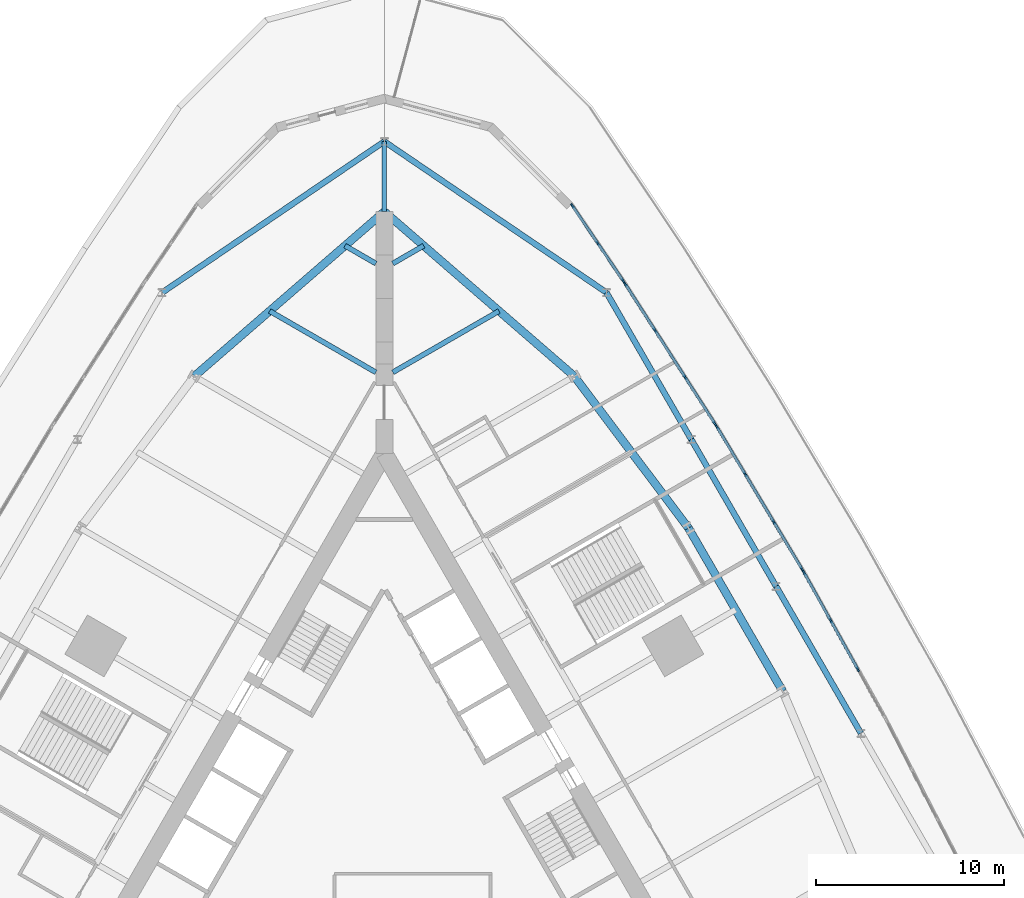
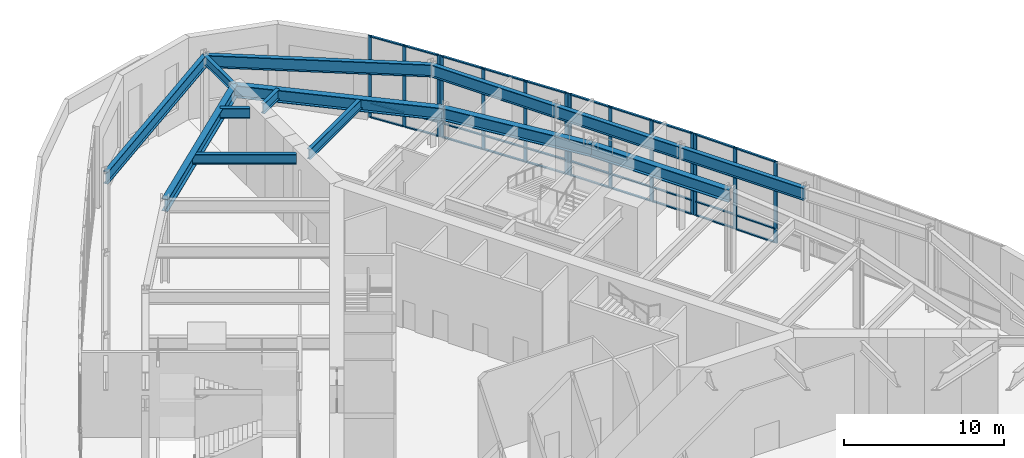
# One storey, part 7 of 19: 44 members, 14 beams, 4 elements without a shape of their own.
"""IFC4 building model written with IfcOpenShell, lengths in metres."""

import ifcopenshell
import ifcopenshell.guid

model = None  # the IFC model being written
_history = None  # IfcOwnerHistory: only IFC2X3 demands one
_inside = {}  # id of a spatial element -> (the spatial element, [elements in it])
_under = {}  # id of a project, library or spatial element -> (it, [spatial elements below it])
_declared = {}  # id of a project -> (the project, [libraries it declares])
_typed = {}  # id of a type object -> (the type object, [elements of that type])
_made_of = {}  # id of a material, layer set ... -> (it, [elements and type objects made of it])


def new_model(schema):
    """Start an empty IFC model of exactly this schema.

    Asked for "IFC4X3", IfcOpenShell would pick the latest addendum, in which some entities
    have other attributes; the version numbers below select the first issue.
    IFC2X3 requires an IfcOwnerHistory on every rooted entity: one is made here for all.
    """
    global model, _history
    if schema == "IFC4X3":
        model = ifcopenshell.file(schema_version=(4, 3, 0, 0))
    else:
        model = ifcopenshell.file(schema=schema)
    _inside.clear()
    _under.clear()
    _declared.clear()
    _typed.clear()
    _made_of.clear()
    _history = None
    if model.schema == "IFC2X3":
        org = make("IfcOrganization", Name="unknown")
        user = make(
            "IfcPersonAndOrganization",
            ThePerson=make("IfcPerson", FamilyName="unknown"),
            TheOrganization=org,
        )
        app = make(
            "IfcApplication",
            ApplicationDeveloper=org,
            Version="unknown",
            ApplicationFullName="unknown",
            ApplicationIdentifier="unknown",
        )
        _history = make(
            "IfcOwnerHistory",
            OwningUser=user,
            OwningApplication=app,
            ChangeAction="ADDED",
            CreationDate=0,
        )
    return model


def make(cls, **values):
    """One entity of the class cls with the attributes given. An attribute that is None is left unset."""
    return model.create_entity(
        cls, **{name: value for name, value in values.items() if value is not None}
    )


def rooted(cls, **values):
    """An entity with a GlobalId (a new one), such as an element, a storey or a relation."""
    return make(cls, GlobalId=ifcopenshell.guid.new(), OwnerHistory=_history, **values)


def si_unit(unit_type, name, prefix=None):
    """IfcSIUnit, for example si_unit("LENGTHUNIT", "METRE", prefix="MILLI")."""
    return make("IfcSIUnit", UnitType=unit_type, Prefix=prefix, Name=name)


def assignment(units):
    """IfcUnitAssignment: the units of a project."""
    return None if units is None else make("IfcUnitAssignment", Units=units)


def point(xyz):
    """IfcCartesianPoint."""
    return None if xyz is None else make("IfcCartesianPoint", Coordinates=xyz)


def direction(xyz):
    """IfcDirection."""
    return None if xyz is None else make("IfcDirection", DirectionRatios=xyz)


def frame(location, z_axis=None, x_axis=None):
    """IfcAxis2Placement3D, a coordinate frame: its origin and axes. An axis left out is left unset."""
    return make(
        "IfcAxis2Placement3D",
        Location=point(location),
        Axis=direction(z_axis),
        RefDirection=direction(x_axis),
    )


def frame_2d(location, x_axis=None):
    """IfcAxis2Placement2D, a coordinate frame in the plane: its origin and x axis."""
    return make(
        "IfcAxis2Placement2D", Location=point(location), RefDirection=direction(x_axis)
    )


def origin():
    """The frame at (0, 0, 0) with its axes left unset."""
    return frame((0.0, 0.0, 0.0))


def origin_2d():
    """The frame at (0, 0) in the plane with its x axis left unset."""
    return frame_2d((0.0, 0.0))


def place(relative_to, where):
    """IfcLocalPlacement: puts the frame where relative to a parent placement (None: the world)."""
    return make(
        "IfcLocalPlacement", PlacementRelTo=relative_to, RelativePlacement=where
    )


def context(
    kind, dimensions, precision=None, world=None, true_north=None, identifier=None
):
    """IfcGeometricRepresentationContext, for example the 3D "Model" context."""
    return make(
        "IfcGeometricRepresentationContext",
        ContextIdentifier=identifier,
        ContextType=kind,
        CoordinateSpaceDimension=dimensions,
        Precision=precision,
        WorldCoordinateSystem=world,
        TrueNorth=true_north,
    )


def subcontext(parent, identifier, kind, view, scale=None):
    """IfcGeometricRepresentationSubContext, for example "Body" below "Model"."""
    return make(
        "IfcGeometricRepresentationSubContext",
        ContextIdentifier=identifier,
        ContextType=kind,
        ParentContext=parent,
        TargetScale=scale,
        TargetView=view,
    )


def project(units=None, contexts=None):
    """IfcProject with its units and contexts."""
    return rooted(
        "IfcProject",
        Name="project",
        RepresentationContexts=contexts,
        UnitsInContext=assignment(units),
    )


def spatial(cls, under=None, at=None, **own):
    """A site, building, storey or space (cls), placed at a placement, below another one or the project."""
    s = rooted(cls, ObjectPlacement=at, **own)
    if under is not None:
        _under.setdefault(under.id(), (under, []))[1].append(s)
    return s


def profile(cls, at=None, kind="AREA", **sizes):
    """A parametric profile (cls). Its sizes go by their IFC names, for example OverallWidth=200.0."""
    return make(cls, ProfileType=kind, Position=at, **sizes)


def rectangle(**sizes):
    """IfcRectangleProfileDef."""
    return profile("IfcRectangleProfileDef", **sizes)


def i_section(**sizes):
    """IfcIShapeProfileDef."""
    return profile("IfcIShapeProfileDef", **sizes)


def extrude(swept, where, along, depth):
    """IfcExtrudedAreaSolid: the profile swept, set in the frame where, extruded along a direction by depth."""
    return make(
        "IfcExtrudedAreaSolid",
        SweptArea=swept,
        Position=where,
        ExtrudedDirection=direction(along),
        Depth=depth,
    )


def shape(context_of_items, identifier, shape_type, items):
    """IfcShapeRepresentation: the items that make up one representation, for example the "Body"."""
    return make(
        "IfcShapeRepresentation",
        ContextOfItems=context_of_items,
        RepresentationIdentifier=identifier,
        RepresentationType=shape_type,
        Items=items,
    )


def material(Name=None, Category=None):
    """IfcMaterial."""
    return make("IfcMaterial", Name=Name, Category=Category)


def material_profile(
    of_material, cross_section, Name=None, Category=None, Priority=None
):
    """IfcMaterialProfile: a cross section and its material."""
    return make(
        "IfcMaterialProfile",
        Name=Name,
        Material=of_material,
        Profile=cross_section,
        Priority=Priority,
        Category=Category,
    )


def profile_set(profiles, Name=None, composite=None):
    """IfcMaterialProfileSet."""
    return make(
        "IfcMaterialProfileSet",
        Name=Name,
        MaterialProfiles=profiles,
        CompositeProfile=composite,
    )


def made_of(thing, what):
    """Note that an element or type object is made of a material, layer set ...; save() writes the relation."""
    if what is not None:
        _made_of.setdefault(what.id(), (what, []))[1].append(thing)
    return thing


def type_object(cls, material=None, **own):
    """A type object (cls), such as IfcWallType, which elements share."""
    return made_of(rooted(cls, **own), material)


def element(
    cls,
    number,
    at=None,
    inside=None,
    cuts=None,
    type_object=None,
    material=None,
    context=None,
    identifier="Body",
    shape_type=None,
    held_by="IfcProductDefinitionShape",
    body=None,
    shapes=None,
    **own,
):
    """One element of the class cls, such as IfcWall. Its Tag is "e" and its number.

    at: its placement. inside: the storey or other place that contains it. cuts: it is an
    opening in that element (IfcRelVoidsElement). A single representation is given by context,
    identifier, shape_type and body (its items); several are given by shapes. held_by: the class
    of the entity that holds the representations. save() writes the other relations.
    """
    e = rooted(cls, Tag="e%d" % number, ObjectPlacement=at, **own)
    if body is not None:
        shapes = [shape(context, identifier, shape_type, body)]
    if shapes is not None:
        e.Representation = make(held_by, Representations=shapes)
    if inside is not None:
        _inside.setdefault(inside.id(), (inside, []))[1].append(e)
    if cuts is not None:
        rooted(
            "IfcRelVoidsElement", RelatingBuildingElement=cuts, RelatedOpeningElement=e
        )
    if type_object is not None:
        _typed.setdefault(type_object.id(), (type_object, []))[1].append(e)
    return made_of(e, material)


def aggregate(whole, parts):
    """IfcRelAggregates: a whole, such as a stair, and the parts it consists of."""
    return rooted("IfcRelAggregates", RelatingObject=whole, RelatedObjects=parts)


def save(model, path):
    """Write the relations noted so far, then the file.

    IfcRelAggregates (storeys below a building ...), IfcRelContainedInSpatialStructure (elements
    in a storey), IfcRelDefinesByType, IfcRelAssociatesMaterial and IfcRelDeclares: one each for
    every whole, place, type object, material and project.
    """
    for whole, parts in _under.values():
        aggregate(whole, parts)
    for where, things in _inside.values():
        rooted(
            "IfcRelContainedInSpatialStructure",
            RelatedElements=things,
            RelatingStructure=where,
        )
    for kind, things in _typed.values():
        rooted("IfcRelDefinesByType", RelatedObjects=things, RelatingType=kind)
    for what, things in _made_of.values():
        rooted("IfcRelAssociatesMaterial", RelatedObjects=things, RelatingMaterial=what)
    for by, libraries in _declared.values():
        rooted("IfcRelDeclares", RelatingContext=by, RelatedDefinitions=libraries)
    model.write(path)


model = new_model("IFC4")

# Units and contexts
model_context = context("Model", 3, precision=1e-05, world=origin(), true_north=direction((0.0, 1.0)))
body_context = subcontext(model_context, "Body", "Model", "MODEL_VIEW")
ifc_project = project(units=[si_unit("LENGTHUNIT", "METRE"), si_unit("AREAUNIT", "SQUARE_METRE"), si_unit("VOLUMEUNIT", "CUBIC_METRE"), si_unit("PLANEANGLEUNIT", "RADIAN"), si_unit("MASSUNIT", "GRAM", prefix="KILO")], contexts=[model_context])

# Site, building, storey
site_placement = place(None, origin())
site = spatial("IfcSite", under=ifc_project, at=site_placement, CompositionType="ELEMENT")
building_placement = place(site_placement, origin())
building = spatial("IfcBuilding", under=site, at=building_placement, Name="Trikona Tower", CompositionType="ELEMENT")
storey_placement = place(building_placement, frame((0.0, 0.0, 11.0)))
storey = spatial("IfcBuildingStorey", under=building, at=storey_placement, Name="L02", CompositionType="ELEMENT", Elevation=11.0)

# Curtain wall, members
ifc_material_1 = material(Name="Aluminium curtain wall system", Category="aluminium")
curtain_wall_type = type_object("IfcCurtainWallType", Name="Curtain wall PD", PredefinedType="NOTDEFINED", material=ifc_material_1)
curtain_wall_1_placement = place(storey_placement, origin())
curtain_wall_1 = element("IfcCurtainWall", 1, at=curtain_wall_1_placement, inside=storey, type_object=curtain_wall_type, Name="Curtain wall PD L02", PredefinedType="NOTDEFINED")
ifc_material_2 = material(Name="Aluminium mullion, pale anodised", Category="aluminium")
ifc_material_profile_1 = material_profile(ifc_material_2, rectangle(XDim=0.090087890625, YDim=0.25, at=origin_2d()), Name="MUL-PD")
ifc_profile_set_1 = profile_set([ifc_material_profile_1], Name="Aluminium mullion, pale anodised")
member_type_1 = type_object("IfcMemberType", Name="Mullion PD 90x250", PredefinedType="MULLION", material=ifc_profile_set_1)
member_1_placement = place(storey_placement, frame((25.1181640625, 7.598876953125, 0.0), z_axis=(0.0, 0.0, 1.0), x_axis=(-0.873743206518, -0.486387509156, 0.0)))
member_1 = element("IfcMember", 2, at=member_1_placement, type_object=member_type_1, Name="CW-PD mullion 2", PredefinedType="MULLION", context=body_context, shape_type="SweptSolid", body=[
    extrude(rectangle(XDim=0.090087890625, YDim=0.25, at=origin_2d()), origin(), (0.0, 0.0, 1.0), 6.25),
])
member_2_placement = place(storey_placement, frame((23.678466796875, 10.185302734375, 0.0), z_axis=(0.0, 0.0, 1.0), x_axis=(-0.873743206518, -0.486387509156, 0.0)))
member_2 = element("IfcMember", 3, at=member_2_placement, type_object=member_type_1, Name="CW-PD mullion 3", PredefinedType="MULLION", context=body_context, shape_type="SweptSolid", body=[
    extrude(rectangle(XDim=0.090087890625, YDim=0.25, at=origin_2d()), origin(), (0.0, 0.0, 1.0), 6.25),
])
member_3_placement = place(storey_placement, frame((22.260498046875, 12.732666015625, 0.0), z_axis=(0.0, 0.0, 1.0), x_axis=(-0.873743206518, -0.486387509156, 0.0)))
member_3 = element("IfcMember", 4, at=member_3_placement, type_object=member_type_1, Name="CW-PD mullion 4", PredefinedType="MULLION", context=body_context, shape_type="SweptSolid", body=[
    extrude(rectangle(XDim=0.090087890625, YDim=0.25, at=origin_2d()), origin(), (0.0, 0.0, 1.0), 6.25),
])

curtain_wall_2_placement = place(storey_placement, origin())
curtain_wall_2 = element("IfcCurtainWall", 5, at=curtain_wall_2_placement, inside=storey, type_object=curtain_wall_type, Name="Curtain wall PD L02", PredefinedType="NOTDEFINED")
member_4_placement = place(storey_placement, frame((22.156982421875, 12.91162109375, 0.0), z_axis=(0.0, 0.0, 1.0), x_axis=(-0.858095396396, -0.513490302425, 0.0)))
member_4 = element("IfcMember", 6, at=member_4_placement, type_object=member_type_1, Name="CW-PD mullion 1", PredefinedType="MULLION", context=body_context, shape_type="SweptSolid", body=[
    extrude(rectangle(XDim=0.090087890625, YDim=0.25, at=origin_2d()), origin(), (0.0, 0.0, 1.0), 6.25),
])
member_5_placement = place(storey_placement, frame((20.659912109375, 15.413330078125, 0.0), z_axis=(0.0, 0.0, 1.0), x_axis=(-0.858095396396, -0.513490302425, 0.0)))
member_5 = element("IfcMember", 7, at=member_5_placement, type_object=member_type_1, Name="CW-PD mullion 2", PredefinedType="MULLION", context=body_context, shape_type="SweptSolid", body=[
    extrude(rectangle(XDim=0.090087890625, YDim=0.25, at=origin_2d()), origin(), (0.0, 0.0, 1.0), 6.25),
])
member_6_placement = place(storey_placement, frame((19.139892578125, 17.95361328125, 0.0), z_axis=(0.0, 0.0, 1.0), x_axis=(-0.858095396396, -0.513490302425, 0.0)))
member_6 = element("IfcMember", 8, at=member_6_placement, type_object=member_type_1, Name="CW-PD mullion 3", PredefinedType="MULLION", context=body_context, shape_type="SweptSolid", body=[
    extrude(rectangle(XDim=0.090087890625, YDim=0.25, at=origin_2d()), origin(), (0.0, 0.0, 1.0), 6.25),
])
member_7_placement = place(storey_placement, frame((17.642822265625, 20.455322265625, 0.0), z_axis=(0.0, 0.0, 1.0), x_axis=(-0.858095396396, -0.513490302425, 0.0)))
member_7 = element("IfcMember", 9, at=member_7_placement, type_object=member_type_1, Name="CW-PD mullion 4", PredefinedType="MULLION", context=body_context, shape_type="SweptSolid", body=[
    extrude(rectangle(XDim=0.090087890625, YDim=0.25, at=origin_2d()), origin(), (0.0, 0.0, 1.0), 6.25),
])

curtain_wall_3_placement = place(storey_placement, origin())
curtain_wall_3 = element("IfcCurtainWall", 10, at=curtain_wall_3_placement, inside=storey, type_object=curtain_wall_type, Name="Curtain wall PD L02", PredefinedType="NOTDEFINED")
member_8_placement = place(storey_placement, frame((17.53369140625, 20.631103515625, 0.0), z_axis=(0.0, 0.0, 1.0), x_axis=(-0.84162298491, -0.540065506463, 0.0)))
member_8 = element("IfcMember", 11, at=member_8_placement, type_object=member_type_1, Name="CW-PD mullion 1", PredefinedType="MULLION", context=body_context, shape_type="SweptSolid", body=[
    extrude(rectangle(XDim=0.090087890625, YDim=0.25, at=origin_2d()), origin(), (0.0, 0.0, 1.0), 6.25),
])
member_9_placement = place(storey_placement, frame((15.957763671875, 23.087158203125, 0.0), z_axis=(0.0, 0.0, 1.0), x_axis=(-0.84162298491, -0.540065506463, 0.0)))
member_9 = element("IfcMember", 12, at=member_9_placement, type_object=member_type_1, Name="CW-PD mullion 2", PredefinedType="MULLION", context=body_context, shape_type="SweptSolid", body=[
    extrude(rectangle(XDim=0.090087890625, YDim=0.25, at=origin_2d()), origin(), (0.0, 0.0, 1.0), 6.25),
])
member_10_placement = place(storey_placement, frame((14.357421875, 25.581298828125, 0.0), z_axis=(0.0, 0.0, 1.0), x_axis=(-0.84162298491, -0.540065506463, 0.0)))
member_10 = element("IfcMember", 13, at=member_10_placement, type_object=member_type_1, Name="CW-PD mullion 3", PredefinedType="MULLION", context=body_context, shape_type="SweptSolid", body=[
    extrude(rectangle(XDim=0.090087890625, YDim=0.25, at=origin_2d()), origin(), (0.0, 0.0, 1.0), 6.25),
])
member_11_placement = place(storey_placement, frame((12.78125, 28.037353515625, 0.0), z_axis=(0.0, 0.0, 1.0), x_axis=(-0.84162298491, -0.540065506463, 0.0)))
member_11 = element("IfcMember", 14, at=member_11_placement, type_object=member_type_1, Name="CW-PD mullion 4", PredefinedType="MULLION", context=body_context, shape_type="SweptSolid", body=[
    extrude(rectangle(XDim=0.090087890625, YDim=0.25, at=origin_2d()), origin(), (0.0, 0.0, 1.0), 6.25),
])

curtain_wall_4_placement = place(storey_placement, origin())
curtain_wall_4 = element("IfcCurtainWall", 15, at=curtain_wall_4_placement, inside=storey, type_object=curtain_wall_type, Name="Curtain wall PD L02", PredefinedType="NOTDEFINED")
member_12_placement = place(storey_placement, frame((12.667236328125, 28.210693359375, 0.0), z_axis=(0.0, 0.0, 1.0), x_axis=(-0.828264162992, -0.560337823373, 0.0)))
member_12 = element("IfcMember", 16, at=member_12_placement, type_object=member_type_1, Name="CW-PD mullion 1", PredefinedType="MULLION", context=body_context, shape_type="SweptSolid", body=[
    extrude(rectangle(XDim=0.090087890625, YDim=0.25, at=origin_2d()), origin(), (0.0, 0.0, 1.0), 6.25),
])
member_13_placement = place(storey_placement, frame((11.321533203125, 30.19970703125, 0.0), z_axis=(0.0, 0.0, 1.0), x_axis=(-0.828264162992, -0.560337823373, 0.0)))
member_13 = element("IfcMember", 17, at=member_13_placement, type_object=member_type_1, Name="CW-PD mullion 2", PredefinedType="MULLION", context=body_context, shape_type="SweptSolid", body=[
    extrude(rectangle(XDim=0.090087890625, YDim=0.25, at=origin_2d()), origin(), (0.0, 0.0, 1.0), 6.25),
])
member_14_placement = place(storey_placement, frame((9.97607421875, 32.188720703125, 0.0), z_axis=(0.0, 0.0, 1.0), x_axis=(-0.828264162992, -0.560337823373, 0.0)))
member_14 = element("IfcMember", 18, at=member_14_placement, type_object=member_type_1, Name="CW-PD mullion 3", PredefinedType="MULLION", context=body_context, shape_type="SweptSolid", body=[
    extrude(rectangle(XDim=0.090087890625, YDim=0.25, at=origin_2d()), origin(), (0.0, 0.0, 1.0), 6.25),
])

# Beams
ifc_material_3 = material(Name="Steel ASTM A992 Grade 50", Category="steel")
ifc_material_profile_2 = material_profile(ifc_material_3, i_section(OverallWidth=0.25390625, OverallDepth=0.683349609375, WebThickness=0.012451171875, FlangeThickness=0.01904296875, at=origin_2d()), Name="W27X94")
ifc_profile_set_2 = profile_set([ifc_material_profile_2], Name="Steel ASTM A992 Grade 50")
beam_type_1 = type_object("IfcBeamType", Name="Steel beam W27x94 (pod radial)", PredefinedType="BEAM", material=ifc_profile_set_2)
beam_1_placement = place(storey_placement, frame((0.0, 31.883544921875, 5.908447265625), z_axis=(0.0, 1.0, 0.0), x_axis=(-1.0, 0.0, 0.0)))
element("IfcBeam", 19, at=beam_1_placement, inside=storey, type_object=beam_type_1, Name="Podium beam L03 RKK1D35.6", PredefinedType="BEAM", context=body_context, shape_type="SweptSolid", body=[
    extrude(i_section(OverallWidth=0.25390625, OverallDepth=0.683349609375, WebThickness=0.012451171875, FlangeThickness=0.01904296875, at=origin_2d()), origin(), (0.0, 0.0, 1.0), 3.716552734375),
])
ifc_material_4 = material(Name="Steel ASTM A992 Grade 50", Category="steel")
ifc_material_profile_3 = material_profile(ifc_material_4, i_section(OverallWidth=0.2666015625, OverallDepth=0.76953125, WebThickness=0.015625, FlangeThickness=0.025390625, at=origin_2d()), Name="W30X132")
ifc_profile_set_3 = profile_set([ifc_material_profile_3], Name="Steel ASTM A992 Grade 50")
beam_type_2 = type_object("IfcBeamType", Name="Steel beam W30x132 (wedge)", PredefinedType="BEAM", material=ifc_profile_set_3)
beam_2_placement = place(storey_placement, frame((0.449951171875, 23.353759765625, 5.865234375), z_axis=(0.866022504693, 0.50000502134, 0.0), x_axis=(-0.50000502134, 0.866022504693, 0.0)))
element("IfcBeam", 20, at=beam_2_placement, inside=storey, type_object=beam_type_2, Name="Floor beam L03 F2 u20", PredefinedType="BEAM", context=body_context, shape_type="SweptSolid", body=[
    extrude(i_section(OverallWidth=0.2666015625, OverallDepth=0.76953125, WebThickness=0.015625, FlangeThickness=0.025390625, at=origin_2d()), origin(), (0.0, 0.0, 1.0), 6.5068359375),
])
for number, where, z_axis, x_axis, name in (
    (21, (0.449951171875, 29.127197265625, 5.865234375), (0.866009237431, 0.5000279999, 0.0), (-0.5000279999, 0.866009237431, 0.0), "Floor beam L03 F2 u25"),
    (22, (-0.449951171875, 29.127197265625, 5.865234375), (-0.866009237431, 0.5000279999, 0.0), (-0.5000279999, -0.866009237431, 0.0), "Floor beam L03 F3 u-25"),
):
    element("IfcBeam", number, at=place(storey_placement, frame(where, z_axis=z_axis, x_axis=x_axis)), inside=storey, type_object=beam_type_2, Name=name, PredefinedType="BEAM", context=body_context, shape_type="SweptSolid", body=[
        extrude(i_section(OverallWidth=0.2666015625, OverallDepth=0.76953125, WebThickness=0.015625, FlangeThickness=0.025390625, at=origin_2d()), origin(), (0.0, 0.0, 1.0), 1.890625),
    ])
beam_3_placement = place(storey_placement, frame((-0.449951171875, 23.353759765625, 5.865234375), z_axis=(-0.866022504693, 0.50000502134, 0.0), x_axis=(-0.50000502134, -0.866022504693, 0.0)))
element("IfcBeam", 23, at=beam_3_placement, inside=storey, type_object=beam_type_2, Name="Floor beam L03 F3 u-20", PredefinedType="BEAM", context=body_context, shape_type="SweptSolid", body=[
    extrude(i_section(OverallWidth=0.2666015625, OverallDepth=0.76953125, WebThickness=0.015625, FlangeThickness=0.025390625, at=origin_2d()), origin(), (0.0, 0.0, 1.0), 6.5068359375),
])
ifc_material_5 = material(Name="Steel ASTM A992 Grade 50", Category="steel")
ifc_material_profile_4 = material_profile(ifc_material_5, i_section(OverallWidth=0.307373046875, OverallDepth=0.9423828125, WebThickness=0.022216796875, FlangeThickness=0.039794921875, at=origin_2d()), Name="W36X232")
ifc_profile_set_4 = profile_set([ifc_material_profile_4], Name="Steel ASTM A992 Grade 50")
beam_type_3 = type_object("IfcBeamType", Name="Steel beam W36x232 (ballroom)", PredefinedType="BEAM", material=ifc_profile_set_4)
for number, where, z_axis, x_axis, name in (
    (24, (25.28466796875, 4.205810546875, 5.77880859375), (-0.5000018851, 0.866024315419, 0.0), (-0.866024315419, -0.5000018851, 0.0), "Podium beam L03 GR24F1m9-R24F1p0"),
    (25, (20.78466796875, 12.0, 5.77880859375), (-0.5000018851, 0.866024315419, 0.0), (-0.866024315419, -0.5000018851, 0.0), "Podium beam L03 GR24F1p0-R24F1p9"),
    (26, (16.28466796875, 19.794189453125, 5.77880859375), (-0.5000018851, 0.866024315419, 0.0), (-0.866024315419, -0.5000018851, 0.0), "Podium beam L03 GR24F1p9-R24F1p18"),
):
    element("IfcBeam", number, at=place(storey_placement, frame(where, z_axis=z_axis, x_axis=x_axis)), inside=storey, type_object=beam_type_3, Name=name, PredefinedType="BEAM", context=body_context, shape_type="SweptSolid", body=[
        extrude(i_section(OverallWidth=0.307373046875, OverallDepth=0.9423828125, WebThickness=0.022216796875, FlangeThickness=0.039794921875, at=origin_2d()), origin(), (0.0, 0.0, 1.0), 9.0),
    ])
for number, where, z_axis, x_axis, name in (
    (27, (0.0, 35.60009765625, 5.77880859375), (0.826987042199, -0.562220981496, 0.0), (0.562220981496, 0.826987042199, 0.0), "Podium beam L03 CK1D35.6-R24F1p18"),
    (28, (0.0, 35.60009765625, 5.77880859375), (-0.826987042199, -0.562220981496, 0.0), (0.562220981496, -0.826987042199, 0.0), "Podium beam L03 CK1D35.6-R24F2m18"),
):
    element("IfcBeam", number, at=place(storey_placement, frame(where, z_axis=z_axis, x_axis=x_axis)), inside=storey, type_object=beam_type_3, Name=name, PredefinedType="BEAM", context=body_context, shape_type="SweptSolid", body=[
        extrude(i_section(OverallWidth=0.307373046875, OverallDepth=0.9423828125, WebThickness=0.022216796875, FlangeThickness=0.039794921875, at=origin_2d()), origin(), (0.0, 0.0, 1.0), 14.250244140625),
    ])
ifc_material_6 = material(Name="Steel ASTM A992 Grade 50", Category="steel")
ifc_material_profile_5 = material_profile(ifc_material_6, i_section(OverallWidth=0.424072265625, OverallDepth=0.947509765625, WebThickness=0.02392578125, FlangeThickness=0.042724609375, at=origin_2d()), Name="W36X302")
ifc_profile_set_5 = profile_set([ifc_material_profile_5], Name="Steel ASTM A992 Grade 50")
beam_type_4 = type_object("IfcBeamType", Name="Steel beam W36x302 (pod tower spandrel)", PredefinedType="BEAM", material=ifc_profile_set_5)
beam_4_placement = place(storey_placement, frame((21.13720703125, 6.43017578125, 5.7763671875), z_axis=(-0.500004234368, 0.866022959057, 0.0), x_axis=(-0.866022959057, -0.500004234368, 0.0)))
element("IfcBeam", 29, at=beam_4_placement, inside=storey, type_object=beam_type_4, Name="Spandrel beam L03 F2-3", PredefinedType="BEAM", context=body_context, shape_type="SweptSolid", body=[
    extrude(i_section(OverallWidth=0.424072265625, OverallDepth=0.947509765625, WebThickness=0.02392578125, FlangeThickness=0.042724609375, at=origin_2d()), origin(), (0.0, 0.0, 1.0), 10.0),
])
beam_5_placement = place(storey_placement, frame((16.13720703125, 15.09033203125, 5.7763671875), z_axis=(-0.600988344191, 0.799257787042, 0.0), x_axis=(-0.799257787042, -0.600988344191, 0.0)))
element("IfcBeam", 30, at=beam_5_placement, inside=storey, type_object=beam_type_4, Name="Spandrel beam L03 F2-4", PredefinedType="BEAM", context=body_context, shape_type="SweptSolid", body=[
    extrude(i_section(OverallWidth=0.424072265625, OverallDepth=0.947509765625, WebThickness=0.02392578125, FlangeThickness=0.042724609375, at=origin_2d()), origin(), (0.0, 0.0, 1.0), 10.07373046875),
])
for number, where, z_axis, x_axis, name in (
    (31, (10.0830078125, 23.141845703125, 5.7763671875), (-0.755646822726, 0.654979296851, 0.0), (-0.654979296851, -0.755646822726, 0.0), "Spandrel beam L03 F2-5"),
    (32, (0.0, 31.881591796875, 5.7763671875), (-0.755646822726, -0.654979296851, 0.0), (0.654979296851, -0.755646822726, 0.0), "Spandrel beam L03 F3-1"),
):
    element("IfcBeam", number, at=place(storey_placement, frame(where, z_axis=z_axis, x_axis=x_axis)), inside=storey, type_object=beam_type_4, Name=name, PredefinedType="BEAM", context=body_context, shape_type="SweptSolid", body=[
        extrude(i_section(OverallWidth=0.424072265625, OverallDepth=0.947509765625, WebThickness=0.02392578125, FlangeThickness=0.042724609375, at=origin_2d()), origin(), (0.0, 0.0, 1.0), 13.343505859375),
    ])

# Member
ifc_material_7 = material(Name="Aluminium transom, pale anodised", Category="aluminium")
ifc_material_profile_6 = material_profile(ifc_material_7, rectangle(XDim=0.14990234375, YDim=0.090087890625, at=origin_2d()), Name="TRN-PD")
ifc_profile_set_6 = profile_set([ifc_material_profile_6], Name="Aluminium transom, pale anodised")
member_type_2 = type_object("IfcMemberType", Name="Transom PD 90x150", PredefinedType="USERDEFINED", material=ifc_profile_set_6)
member_15_placement = place(storey_placement, frame((25.096435546875, 7.63818359375, 0.044921875), z_axis=(-0.48644435464, 0.873711559864, 0.0), x_axis=(-0.873711559864, -0.48644435464, 0.0)))
member_15 = element("IfcMember", 33, at=member_15_placement, type_object=member_type_2, Name="CW-PD transom 2.1", ObjectType="TRANSOM", PredefinedType="USERDEFINED", context=body_context, shape_type="SweptSolid", body=[
    extrude(rectangle(XDim=0.14990234375, YDim=0.090087890625, at=origin_2d()), origin(), (0.0, 0.0, 1.0), 2.870361328125),
])

member_16_placement = place(storey_placement, frame((25.096435546875, 7.63818359375, 1.10009765625), z_axis=(-0.48644435464, 0.873711559864, 0.0), x_axis=(-0.873711559864, -0.48644435464, 0.0)))
member_16 = element("IfcMember", 34, at=member_16_placement, type_object=member_type_2, Name="CW-PD transom 2.2", ObjectType="TRANSOM", PredefinedType="USERDEFINED", context=body_context, shape_type="SweptSolid", body=[
    extrude(rectangle(XDim=0.14990234375, YDim=0.090087890625, at=origin_2d()), origin(), (0.0, 0.0, 1.0), 2.870361328125),
])

member_17_placement = place(storey_placement, frame((25.096435546875, 7.63818359375, 6.205078125), z_axis=(-0.48644435464, 0.873711559864, 0.0), x_axis=(-0.873711559864, -0.48644435464, 0.0)))
member_17 = element("IfcMember", 35, at=member_17_placement, type_object=member_type_2, Name="CW-PD transom 2.3", ObjectType="TRANSOM", PredefinedType="USERDEFINED", context=body_context, shape_type="SweptSolid", body=[
    extrude(rectangle(XDim=0.14990234375, YDim=0.090087890625, at=origin_2d()), origin(), (0.0, 0.0, 1.0), 2.870361328125),
])

member_18_placement = place(storey_placement, frame((23.656494140625, 10.224609375, 0.044921875), z_axis=(-0.486383735561, 0.873745307158, 0.0), x_axis=(-0.873745307158, -0.486383735561, 0.0)))
member_18 = element("IfcMember", 36, at=member_18_placement, type_object=member_type_2, Name="CW-PD transom 3.1", ObjectType="TRANSOM", PredefinedType="USERDEFINED", context=body_context, shape_type="SweptSolid", body=[
    extrude(rectangle(XDim=0.14990234375, YDim=0.090087890625, at=origin_2d()), origin(), (0.0, 0.0, 1.0), 2.825439453125),
])

member_19_placement = place(storey_placement, frame((23.656494140625, 10.224609375, 1.10009765625), z_axis=(-0.486383735561, 0.873745307158, 0.0), x_axis=(-0.873745307158, -0.486383735561, 0.0)))
member_19 = element("IfcMember", 37, at=member_19_placement, type_object=member_type_2, Name="CW-PD transom 3.2", ObjectType="TRANSOM", PredefinedType="USERDEFINED", context=body_context, shape_type="SweptSolid", body=[
    extrude(rectangle(XDim=0.14990234375, YDim=0.090087890625, at=origin_2d()), origin(), (0.0, 0.0, 1.0), 2.825439453125),
])

member_20_placement = place(storey_placement, frame((23.656494140625, 10.224609375, 6.205078125), z_axis=(-0.486383735561, 0.873745307158, 0.0), x_axis=(-0.873745307158, -0.486383735561, 0.0)))
member_20 = element("IfcMember", 38, at=member_20_placement, type_object=member_type_2, Name="CW-PD transom 3.3", ObjectType="TRANSOM", PredefinedType="USERDEFINED", context=body_context, shape_type="SweptSolid", body=[
    extrude(rectangle(XDim=0.14990234375, YDim=0.090087890625, at=origin_2d()), origin(), (0.0, 0.0, 1.0), 2.825439453125),
])

aggregate(curtain_wall_1, [member_1, member_2, member_3, member_15, member_16, member_17, member_18, member_19, member_20])

member_21_placement = place(storey_placement, frame((22.1337890625, 12.950439453125, 0.044921875), z_axis=(-0.513478745151, 0.858102312244, 0.0), x_axis=(-0.858102312244, -0.513478745151, 0.0)))
member_21 = element("IfcMember", 39, at=member_21_placement, type_object=member_type_2, Name="CW-PD transom 1.1", ObjectType="TRANSOM", PredefinedType="USERDEFINED", context=body_context, shape_type="SweptSolid", body=[
    extrude(rectangle(XDim=0.14990234375, YDim=0.090087890625, at=origin_2d()), origin(), (0.0, 0.0, 1.0), 2.8251953125),
])

member_22_placement = place(storey_placement, frame((22.1337890625, 12.950439453125, 1.10009765625), z_axis=(-0.513478745151, 0.858102312244, 0.0), x_axis=(-0.858102312244, -0.513478745151, 0.0)))
member_22 = element("IfcMember", 40, at=member_22_placement, type_object=member_type_2, Name="CW-PD transom 1.2", ObjectType="TRANSOM", PredefinedType="USERDEFINED", context=body_context, shape_type="SweptSolid", body=[
    extrude(rectangle(XDim=0.14990234375, YDim=0.090087890625, at=origin_2d()), origin(), (0.0, 0.0, 1.0), 2.8251953125),
])

member_23_placement = place(storey_placement, frame((22.1337890625, 12.950439453125, 6.205078125), z_axis=(-0.513478745151, 0.858102312244, 0.0), x_axis=(-0.858102312244, -0.513478745151, 0.0)))
member_23 = element("IfcMember", 41, at=member_23_placement, type_object=member_type_2, Name="CW-PD transom 1.3", ObjectType="TRANSOM", PredefinedType="USERDEFINED", context=body_context, shape_type="SweptSolid", body=[
    extrude(rectangle(XDim=0.14990234375, YDim=0.090087890625, at=origin_2d()), origin(), (0.0, 0.0, 1.0), 2.8251953125),
])

member_24_placement = place(storey_placement, frame((20.636962890625, 15.451904296875, 0.044921875), z_axis=(-0.513532363889, 0.858070225121, 0.0), x_axis=(-0.858070225121, -0.513532363889, 0.0)))
member_24 = element("IfcMember", 42, at=member_24_placement, type_object=member_type_2, Name="CW-PD transom 2.1", ObjectType="TRANSOM", PredefinedType="USERDEFINED", context=body_context, shape_type="SweptSolid", body=[
    extrude(rectangle(XDim=0.14990234375, YDim=0.090087890625, at=origin_2d()), origin(), (0.0, 0.0, 1.0), 2.87060546875),
])

member_25_placement = place(storey_placement, frame((20.636962890625, 15.451904296875, 1.10009765625), z_axis=(-0.513532363889, 0.858070225121, 0.0), x_axis=(-0.858070225121, -0.513532363889, 0.0)))
member_25 = element("IfcMember", 43, at=member_25_placement, type_object=member_type_2, Name="CW-PD transom 2.2", ObjectType="TRANSOM", PredefinedType="USERDEFINED", context=body_context, shape_type="SweptSolid", body=[
    extrude(rectangle(XDim=0.14990234375, YDim=0.090087890625, at=origin_2d()), origin(), (0.0, 0.0, 1.0), 2.87060546875),
])

member_26_placement = place(storey_placement, frame((20.636962890625, 15.451904296875, 6.205078125), z_axis=(-0.513532363889, 0.858070225121, 0.0), x_axis=(-0.858070225121, -0.513532363889, 0.0)))
member_26 = element("IfcMember", 44, at=member_26_placement, type_object=member_type_2, Name="CW-PD transom 2.3", ObjectType="TRANSOM", PredefinedType="USERDEFINED", context=body_context, shape_type="SweptSolid", body=[
    extrude(rectangle(XDim=0.14990234375, YDim=0.090087890625, at=origin_2d()), origin(), (0.0, 0.0, 1.0), 2.87060546875),
])

member_27_placement = place(storey_placement, frame((19.11669921875, 17.992431640625, 0.044921875), z_axis=(-0.513478745151, 0.858102312244, 0.0), x_axis=(-0.858102312244, -0.513478745151, 0.0)))
member_27 = element("IfcMember", 45, at=member_27_placement, type_object=member_type_2, Name="CW-PD transom 3.1", ObjectType="TRANSOM", PredefinedType="USERDEFINED", context=body_context, shape_type="SweptSolid", body=[
    extrude(rectangle(XDim=0.14990234375, YDim=0.090087890625, at=origin_2d()), origin(), (0.0, 0.0, 1.0), 2.8251953125),
])

member_28_placement = place(storey_placement, frame((19.11669921875, 17.992431640625, 1.10009765625), z_axis=(-0.513478745151, 0.858102312244, 0.0), x_axis=(-0.858102312244, -0.513478745151, 0.0)))
member_28 = element("IfcMember", 46, at=member_28_placement, type_object=member_type_2, Name="CW-PD transom 3.2", ObjectType="TRANSOM", PredefinedType="USERDEFINED", context=body_context, shape_type="SweptSolid", body=[
    extrude(rectangle(XDim=0.14990234375, YDim=0.090087890625, at=origin_2d()), origin(), (0.0, 0.0, 1.0), 2.8251953125),
])

member_29_placement = place(storey_placement, frame((19.11669921875, 17.992431640625, 6.205078125), z_axis=(-0.513478745151, 0.858102312244, 0.0), x_axis=(-0.858102312244, -0.513478745151, 0.0)))
member_29 = element("IfcMember", 47, at=member_29_placement, type_object=member_type_2, Name="CW-PD transom 3.3", ObjectType="TRANSOM", PredefinedType="USERDEFINED", context=body_context, shape_type="SweptSolid", body=[
    extrude(rectangle(XDim=0.14990234375, YDim=0.090087890625, at=origin_2d()), origin(), (0.0, 0.0, 1.0), 2.8251953125),
])

aggregate(curtain_wall_2, [member_4, member_5, member_6, member_7, member_21, member_22, member_23, member_24, member_25, member_26, member_27, member_28, member_29])

member_30_placement = place(storey_placement, frame((17.509521484375, 20.6689453125, 0.044921875), z_axis=(-0.54009429845, 0.841604508532, 0.0), x_axis=(-0.841604508532, -0.54009429845, 0.0)))
member_30 = element("IfcMember", 48, at=member_30_placement, type_object=member_type_2, Name="CW-PD transom 1.1", ObjectType="TRANSOM", PredefinedType="USERDEFINED", context=body_context, shape_type="SweptSolid", body=[
    extrude(rectangle(XDim=0.14990234375, YDim=0.090087890625, at=origin_2d()), origin(), (0.0, 0.0, 1.0), 2.828369140625),
])

member_31_placement = place(storey_placement, frame((17.509521484375, 20.6689453125, 1.10009765625), z_axis=(-0.54009429845, 0.841604508532, 0.0), x_axis=(-0.841604508532, -0.54009429845, 0.0)))
member_31 = element("IfcMember", 49, at=member_31_placement, type_object=member_type_2, Name="CW-PD transom 1.2", ObjectType="TRANSOM", PredefinedType="USERDEFINED", context=body_context, shape_type="SweptSolid", body=[
    extrude(rectangle(XDim=0.14990234375, YDim=0.090087890625, at=origin_2d()), origin(), (0.0, 0.0, 1.0), 2.828369140625),
])

member_32_placement = place(storey_placement, frame((17.509521484375, 20.6689453125, 6.205078125), z_axis=(-0.54009429845, 0.841604508532, 0.0), x_axis=(-0.841604508532, -0.54009429845, 0.0)))
member_32 = element("IfcMember", 50, at=member_32_placement, type_object=member_type_2, Name="CW-PD transom 1.3", ObjectType="TRANSOM", PredefinedType="USERDEFINED", context=body_context, shape_type="SweptSolid", body=[
    extrude(rectangle(XDim=0.14990234375, YDim=0.090087890625, at=origin_2d()), origin(), (0.0, 0.0, 1.0), 2.828369140625),
])

member_33_placement = place(storey_placement, frame((15.933349609375, 23.125244140625, 0.044921875), z_axis=(-0.540065996363, 0.841622670543, 0.0), x_axis=(-0.841622670543, -0.540065996363, 0.0)))
member_33 = element("IfcMember", 51, at=member_33_placement, type_object=member_type_2, Name="CW-PD transom 2.1", ObjectType="TRANSOM", PredefinedType="USERDEFINED", context=body_context, shape_type="SweptSolid", body=[
    extrude(rectangle(XDim=0.14990234375, YDim=0.090087890625, at=origin_2d()), origin(), (0.0, 0.0, 1.0), 2.873291015625),
])

member_34_placement = place(storey_placement, frame((15.933349609375, 23.125244140625, 1.10009765625), z_axis=(-0.540065996363, 0.841622670543, 0.0), x_axis=(-0.841622670543, -0.540065996363, 0.0)))
member_34 = element("IfcMember", 52, at=member_34_placement, type_object=member_type_2, Name="CW-PD transom 2.2", ObjectType="TRANSOM", PredefinedType="USERDEFINED", context=body_context, shape_type="SweptSolid", body=[
    extrude(rectangle(XDim=0.14990234375, YDim=0.090087890625, at=origin_2d()), origin(), (0.0, 0.0, 1.0), 2.873291015625),
])

member_35_placement = place(storey_placement, frame((15.933349609375, 23.125244140625, 6.205078125), z_axis=(-0.540065996363, 0.841622670543, 0.0), x_axis=(-0.841622670543, -0.540065996363, 0.0)))
member_35 = element("IfcMember", 53, at=member_35_placement, type_object=member_type_2, Name="CW-PD transom 2.3", ObjectType="TRANSOM", PredefinedType="USERDEFINED", context=body_context, shape_type="SweptSolid", body=[
    extrude(rectangle(XDim=0.14990234375, YDim=0.090087890625, at=origin_2d()), origin(), (0.0, 0.0, 1.0), 2.873291015625),
])

member_36_placement = place(storey_placement, frame((14.3330078125, 25.619140625, 0.044921875), z_axis=(-0.540033155004, 0.841643743811, 0.0), x_axis=(-0.841643743811, -0.540033155004, 0.0)))
member_36 = element("IfcMember", 54, at=member_36_placement, type_object=member_type_2, Name="CW-PD transom 3.1", ObjectType="TRANSOM", PredefinedType="USERDEFINED", context=body_context, shape_type="SweptSolid", body=[
    extrude(rectangle(XDim=0.14990234375, YDim=0.090087890625, at=origin_2d()), origin(), (0.0, 0.0, 1.0), 2.828125),
])

member_37_placement = place(storey_placement, frame((14.3330078125, 25.619140625, 1.10009765625), z_axis=(-0.540033155004, 0.841643743811, 0.0), x_axis=(-0.841643743811, -0.540033155004, 0.0)))
member_37 = element("IfcMember", 55, at=member_37_placement, type_object=member_type_2, Name="CW-PD transom 3.2", ObjectType="TRANSOM", PredefinedType="USERDEFINED", context=body_context, shape_type="SweptSolid", body=[
    extrude(rectangle(XDim=0.14990234375, YDim=0.090087890625, at=origin_2d()), origin(), (0.0, 0.0, 1.0), 2.828125),
])

member_38_placement = place(storey_placement, frame((14.3330078125, 25.619140625, 6.205078125), z_axis=(-0.540033155004, 0.841643743811, 0.0), x_axis=(-0.841643743811, -0.540033155004, 0.0)))
member_38 = element("IfcMember", 56, at=member_38_placement, type_object=member_type_2, Name="CW-PD transom 3.3", ObjectType="TRANSOM", PredefinedType="USERDEFINED", context=body_context, shape_type="SweptSolid", body=[
    extrude(rectangle(XDim=0.14990234375, YDim=0.090087890625, at=origin_2d()), origin(), (0.0, 0.0, 1.0), 2.828125),
])

aggregate(curtain_wall_3, [member_8, member_9, member_10, member_11, member_30, member_31, member_32, member_33, member_34, member_35, member_36, member_37, member_38])

member_39_placement = place(storey_placement, frame((12.64208984375, 28.248046875, 0.044921875), z_axis=(-0.560366914304, 0.828244481632, 0.0), x_axis=(-0.828244481632, -0.560366914304, 0.0)))
member_39 = element("IfcMember", 57, at=member_39_placement, type_object=member_type_2, Name="CW-PD transom 1.1", ObjectType="TRANSOM", PredefinedType="USERDEFINED", context=body_context, shape_type="SweptSolid", body=[
    extrude(rectangle(XDim=0.14990234375, YDim=0.090087890625, at=origin_2d()), origin(), (0.0, 0.0, 1.0), 2.311279296875),
])

member_40_placement = place(storey_placement, frame((12.64208984375, 28.248046875, 1.10009765625), z_axis=(-0.560366914304, 0.828244481632, 0.0), x_axis=(-0.828244481632, -0.560366914304, 0.0)))
member_40 = element("IfcMember", 58, at=member_40_placement, type_object=member_type_2, Name="CW-PD transom 1.2", ObjectType="TRANSOM", PredefinedType="USERDEFINED", context=body_context, shape_type="SweptSolid", body=[
    extrude(rectangle(XDim=0.14990234375, YDim=0.090087890625, at=origin_2d()), origin(), (0.0, 0.0, 1.0), 2.311279296875),
])

member_41_placement = place(storey_placement, frame((12.64208984375, 28.248046875, 6.205078125), z_axis=(-0.560366914304, 0.828244481632, 0.0), x_axis=(-0.828244481632, -0.560366914304, 0.0)))
member_41 = element("IfcMember", 59, at=member_41_placement, type_object=member_type_2, Name="CW-PD transom 1.3", ObjectType="TRANSOM", PredefinedType="USERDEFINED", context=body_context, shape_type="SweptSolid", body=[
    extrude(rectangle(XDim=0.14990234375, YDim=0.090087890625, at=origin_2d()), origin(), (0.0, 0.0, 1.0), 2.311279296875),
])

member_42_placement = place(storey_placement, frame((11.29638671875, 30.23681640625, 0.044921875), z_axis=(-0.560317892551, 0.828277646256, 0.0), x_axis=(-0.828277646256, -0.560317892551, 0.0)))
member_42 = element("IfcMember", 60, at=member_42_placement, type_object=member_type_2, Name="CW-PD transom 2.1", ObjectType="TRANSOM", PredefinedType="USERDEFINED", context=body_context, shape_type="SweptSolid", body=[
    extrude(rectangle(XDim=0.14990234375, YDim=0.090087890625, at=origin_2d()), origin(), (0.0, 0.0, 1.0), 2.3115234375),
])

member_43_placement = place(storey_placement, frame((11.29638671875, 30.23681640625, 1.10009765625), z_axis=(-0.560317892551, 0.828277646256, 0.0), x_axis=(-0.828277646256, -0.560317892551, 0.0)))
member_43 = element("IfcMember", 61, at=member_43_placement, type_object=member_type_2, Name="CW-PD transom 2.2", ObjectType="TRANSOM", PredefinedType="USERDEFINED", context=body_context, shape_type="SweptSolid", body=[
    extrude(rectangle(XDim=0.14990234375, YDim=0.090087890625, at=origin_2d()), origin(), (0.0, 0.0, 1.0), 2.3115234375),
])

member_44_placement = place(storey_placement, frame((11.29638671875, 30.23681640625, 6.205078125), z_axis=(-0.560317892551, 0.828277646256, 0.0), x_axis=(-0.828277646256, -0.560317892551, 0.0)))
member_44 = element("IfcMember", 62, at=member_44_placement, type_object=member_type_2, Name="CW-PD transom 2.3", ObjectType="TRANSOM", PredefinedType="USERDEFINED", context=body_context, shape_type="SweptSolid", body=[
    extrude(rectangle(XDim=0.14990234375, YDim=0.090087890625, at=origin_2d()), origin(), (0.0, 0.0, 1.0), 2.3115234375),
])

aggregate(curtain_wall_4, [member_12, member_13, member_14, member_39, member_40, member_41, member_42, member_43, member_44])

save(model, "model.ifc")
